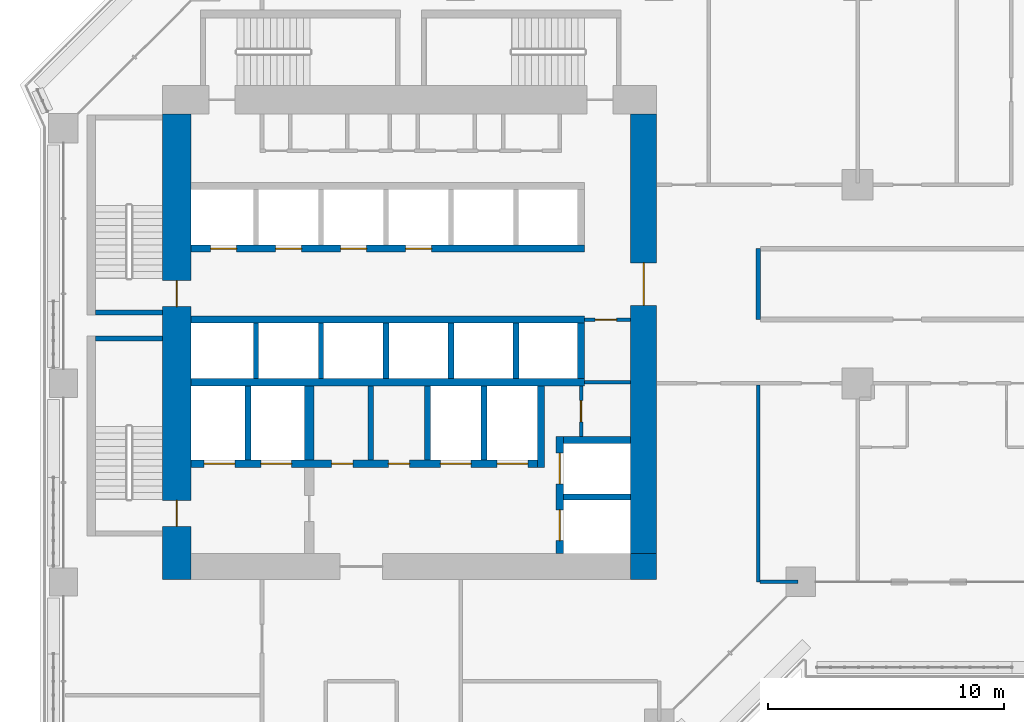
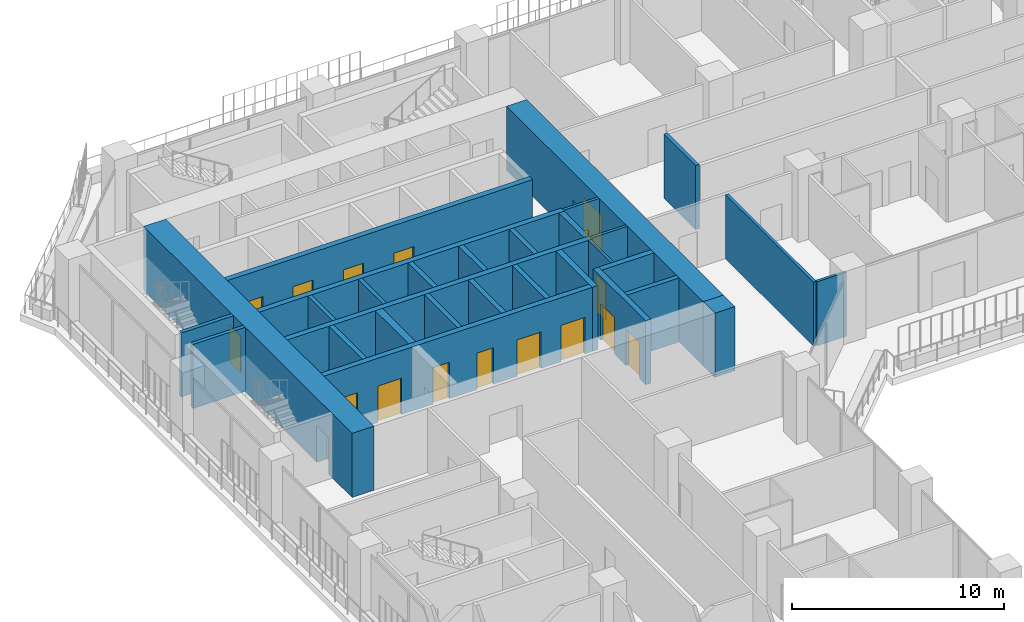
# One storey, part 15 of 28: 30 walls, 17 doors, 17 openings.
"""IFC4 building model written with IfcOpenShell, lengths in metres."""

from ifc_helpers import new_model, si_unit, direction, frame, frame_2d, origin, place, context, subcontext, project, spatial, rectangle, extrude, material, layer, layer_set, type_object, element, fill, save


model = new_model("IFC4")

# Units and contexts
model_context = context("Model", 3, precision=1e-05, world=origin(), true_north=direction((0.0, 1.0)))
body_context = subcontext(model_context, "Body", "Model", "MODEL_VIEW")
ifc_project = project(units=[si_unit("LENGTHUNIT", "METRE"), si_unit("AREAUNIT", "SQUARE_METRE"), si_unit("VOLUMEUNIT", "CUBIC_METRE"), si_unit("PLANEANGLEUNIT", "RADIAN"), si_unit("MASSUNIT", "GRAM", prefix="KILO")], contexts=[model_context])

# Site, building, storey
site_placement = place(None, origin())
site = spatial("IfcSite", under=ifc_project, at=site_placement, CompositionType="ELEMENT")
building_placement = place(site_placement, origin())
building = spatial("IfcBuilding", under=site, at=building_placement, Name="Kawkab Arch Medical Tower", CompositionType="ELEMENT")
storey_placement = place(building_placement, frame((0.0, 0.0, 89.60009765625)))
storey = spatial("IfcBuildingStorey", under=building, at=storey_placement, Name="L20", CompositionType="ELEMENT", Elevation=89.60009765625)

# Wall, opening, door
ifc_material_1 = material(Name="Concrete C60/75", Category="concrete")
ifc_layer_1 = layer(ifc_material_1, 1.10009765625)
ifc_layer_set_1 = layer_set([ifc_layer_1], Name="Concrete C60/75")
wall_type_1 = type_object("IfcWallType", Name="Core ring wall 1100 C60/75", PredefinedType="SHEAR", material=ifc_layer_set_1)
wall_1_placement = place(storey_placement, frame((24.550048828125, -24.0, 0.0), z_axis=(0.0, 0.0, 1.0), x_axis=(0.0, 1.0, 0.0)))
wall_1 = element("IfcWall", 1, at=wall_1_placement, inside=storey, type_object=wall_type_1, Name="L20 core wall", PredefinedType="SHEAR", context=body_context, shape_type="SweptSolid", body=[
    extrude(rectangle(XDim=18.60009765625, YDim=1.10009765625, at=frame_2d((9.300048828125, 0.0))), origin(), (0.0, 0.0, 1.0), 3.699951171875),
])
opening_1_placement = place(wall_1_placement, frame((10.5, 0.0, 0.0)))
opening_1 = element("IfcOpeningElement", 2, at=opening_1_placement, cuts=wall_1, Name="Opening PD", PredefinedType="OPENING", context=body_context, shape_type="SweptSolid", body=[
    extrude(rectangle(XDim=1.800048828125, YDim=2.10009765625, at=frame_2d((0.89990234375, 1.050048828125))), frame((0.0, 0.56005859375, 0.0), z_axis=(0.0, -1.0, 0.0), x_axis=(1.0, 0.0, 0.0)), (0.0, 0.0, 1.0), 1.1201171875),
])
ifc_material_2 = material(Name="Hollow metal fire door leaf")
door_type_1 = type_object("IfcDoorType", Name="Core entrance doors 1800", OperationType="DOUBLE_DOOR_SINGLE_SWING", PredefinedType="DOOR", material=ifc_material_2)
door_1_placement = place(opening_1_placement, origin())
door_1 = element("IfcDoor", 3, at=door_1_placement, inside=storey, type_object=door_type_1, Name="L20 East entrance doors", OperationType="DOUBLE_DOOR_SINGLE_SWING", OverallHeight=2.10009765625, OverallWidth=1.800048828125, PredefinedType="DOOR", context=body_context, shape_type="SweptSolid", body=[
    extrude(rectangle(XDim=1.800048828125, YDim=2.10009765625, at=frame_2d((0.89990234375, 1.050048828125))), frame((0.0, 0.02490234375, 0.0), z_axis=(0.0, -1.0, 0.0), x_axis=(1.0, 0.0, 0.0)), (0.0, 0.0, 1.0), 0.050048828125),
])
fill(opening_1, door_1)

# Wall
wall_2_placement = place(storey_placement, frame((24.550048828125, -25.10009765625, 0.0), z_axis=(0.0, 0.0, 1.0), x_axis=(0.0, 1.0, 0.0)))
element("IfcWall", 4, at=wall_2_placement, inside=storey, type_object=wall_type_1, Name="L20 core wall", PredefinedType="SHEAR", context=body_context, shape_type="SweptSolid", body=[
    extrude(rectangle(XDim=1.10009765625, YDim=1.10009765625, at=frame_2d((0.550048828125, 0.0))), origin(), (0.0, 0.0, 1.0), 3.699951171875),
])

# Wall, openings, doors
ifc_material_3 = material(Name="Concrete C60/75", Category="concrete")
ifc_layer_2 = layer(ifc_material_3, 1.199951171875)
ifc_layer_set_2 = layer_set([ifc_layer_2], Name="Concrete C60/75")
wall_type_2 = type_object("IfcWallType", Name="Core ring wall 1200 C60/75", PredefinedType="SHEAR", material=ifc_layer_set_2)
wall_3_placement = place(storey_placement, frame((4.800048828125, -25.10009765625, 0.0), z_axis=(0.0, 0.0, 1.0), x_axis=(0.0, 1.0, 0.0)))
wall_3 = element("IfcWall", 5, at=wall_3_placement, inside=storey, type_object=wall_type_2, Name="L20 core wall", PredefinedType="SHEAR", context=body_context, shape_type="SweptSolid", body=[
    extrude(rectangle(XDim=19.7001953125, YDim=1.199951171875, at=frame_2d((9.85009765625, 0.0))), origin(), (0.0, 0.0, 1.0), 3.699951171875),
])
opening_2_placement = place(wall_3_placement, frame((11.550048828125, 0.0, 0.0)))
opening_2 = element("IfcOpeningElement", 6, at=opening_2_placement, cuts=wall_3, Name="Opening SD", PredefinedType="OPENING", context=body_context, shape_type="SweptSolid", body=[
    extrude(rectangle(XDim=1.10009765625, YDim=2.10009765625, at=frame_2d((0.550048828125, 1.050048828125))), frame((0.0, 0.60986328125, 0.0), z_axis=(0.0, -1.0, 0.0), x_axis=(1.0, 0.0, 0.0)), (0.0, 0.0, 1.0), 1.219970703125),
])
opening_3_placement = place(wall_3_placement, frame((2.25, 0.0, 0.0)))
opening_3 = element("IfcOpeningElement", 7, at=opening_3_placement, cuts=wall_3, Name="Opening SD", PredefinedType="OPENING", context=body_context, shape_type="SweptSolid", body=[
    extrude(rectangle(XDim=1.10009765625, YDim=2.10009765625, at=frame_2d((0.550048828125, 1.050048828125))), frame((0.0, 0.60986328125, 0.0), z_axis=(0.0, -1.0, 0.0), x_axis=(1.0, 0.0, 0.0)), (0.0, 0.0, 1.0), 1.219970703125),
])
ifc_material_4 = material(Name="Hollow metal fire door leaf")
door_type_2 = type_object("IfcDoorType", Name="Exit stair door 1100", OperationType="SINGLE_SWING_LEFT", PredefinedType="DOOR", material=ifc_material_4)
door_2_placement = place(opening_2_placement, origin())
door_2 = element("IfcDoor", 8, at=door_2_placement, inside=storey, type_object=door_type_2, Name="L20 Exit stair ST1 door", OperationType="SINGLE_SWING_LEFT", OverallHeight=2.10009765625, OverallWidth=1.10009765625, PredefinedType="DOOR", context=body_context, shape_type="SweptSolid", body=[
    extrude(rectangle(XDim=1.10009765625, YDim=2.10009765625, at=frame_2d((0.550048828125, 1.050048828125))), frame((0.0, 0.02490234375, 0.0), z_axis=(0.0, -1.0, 0.0), x_axis=(1.0, 0.0, 0.0)), (0.0, 0.0, 1.0), 0.050048828125),
])
fill(opening_2, door_2)
door_3_placement = place(opening_3_placement, origin())
door_3 = element("IfcDoor", 9, at=door_3_placement, inside=storey, type_object=door_type_2, Name="L20 Exit stair ST2 door", OperationType="SINGLE_SWING_LEFT", OverallHeight=2.10009765625, OverallWidth=1.10009765625, PredefinedType="DOOR", context=body_context, shape_type="SweptSolid", body=[
    extrude(rectangle(XDim=1.10009765625, YDim=2.10009765625, at=frame_2d((0.550048828125, 1.050048828125))), frame((0.0, 0.02490234375, 0.0), z_axis=(0.0, -1.0, 0.0), x_axis=(1.0, 0.0, 0.0)), (0.0, 0.0, 1.0), 0.050048828125),
])
fill(opening_3, door_3)

# Wall, opening, door
ifc_material_5 = material(Name="Gypsum board on steel studs", Category="steel")
ifc_layer_3 = layer(ifc_material_5, 0.14990234375)
ifc_layer_set_3 = layer_set([ifc_layer_3], Name="Gypsum board on steel studs")
wall_type_3 = type_object("IfcWallType", Name="Core room partition 150", PredefinedType="PARTITIONING", material=ifc_layer_set_3)
wall_4_placement = place(storey_placement, frame((21.89990234375, -19.050048828125, 0.0), z_axis=(0.0, 0.0, 1.0), x_axis=(0.0, 1.0, 0.0)))
wall_4 = element("IfcWall", 10, at=wall_4_placement, inside=storey, type_object=wall_type_3, Name="L20 core room partition", PredefinedType="PARTITIONING", context=body_context, shape_type="SweptSolid", body=[
    extrude(rectangle(XDim=2.150146484375, YDim=0.14990234375, at=frame_2d((1.0751953125, 0.0))), origin(), (0.0, 0.0, 1.0), 3.699951171875),
])
opening_4_placement = place(wall_4_placement, frame((0.625, 0.0, 0.0)))
opening_4 = element("IfcOpeningElement", 11, at=opening_4_placement, cuts=wall_4, Name="Opening RD", PredefinedType="OPENING", context=body_context, shape_type="SweptSolid", body=[
    extrude(rectangle(XDim=0.89990234375, YDim=2.10009765625, at=frame_2d((0.449951171875, 1.050048828125))), frame((0.0, 0.0849609375, 0.0), z_axis=(0.0, -1.0, 0.0), x_axis=(1.0, 0.0, 0.0)), (0.0, 0.0, 1.0), 0.169921875),
])
ifc_material_6 = material(Name="Hollow metal fire door leaf")
door_type_3 = type_object("IfcDoorType", Name="Core room door 900", OperationType="SINGLE_SWING_LEFT", PredefinedType="DOOR", material=ifc_material_6)
door_4_placement = place(opening_4_placement, origin())
door_4 = element("IfcDoor", 12, at=door_4_placement, inside=storey, type_object=door_type_3, Name="L20 Staff WC door", OperationType="SINGLE_SWING_LEFT", OverallHeight=2.10009765625, OverallWidth=0.89990234375, PredefinedType="DOOR", context=body_context, shape_type="SweptSolid", body=[
    extrude(rectangle(XDim=0.89990234375, YDim=2.10009765625, at=frame_2d((0.449951171875, 1.050048828125))), frame((0.0, 0.02490234375, 0.0), z_axis=(0.0, -1.0, 0.0), x_axis=(1.0, 0.0, 0.0)), (0.0, 0.0, 1.0), 0.050048828125),
])
fill(opening_4, door_4)

# Wall
wall_5_placement = place(storey_placement, frame((22.050048828125, -16.75, 0.0), z_axis=(0.0, 0.0, 1.0), x_axis=(1.0, 0.0, 0.0)))
element("IfcWall", 13, at=wall_5_placement, inside=storey, type_object=wall_type_3, Name="L20 core room partition", PredefinedType="PARTITIONING", context=body_context, shape_type="SweptSolid", body=[
    extrude(rectangle(XDim=1.949951171875, YDim=0.14990234375, at=frame_2d((0.97509765625, 0.0))), origin(), (0.0, 0.0, 1.0), 3.699951171875),
])

# Wall, opening, door
wall_6_placement = place(storey_placement, frame((22.050048828125, -14.10009765625, 0.0), z_axis=(0.0, 0.0, 1.0), x_axis=(1.0, 0.0, 0.0)))
wall_6 = element("IfcWall", 14, at=wall_6_placement, inside=storey, type_object=wall_type_3, Name="L20 core room partition", PredefinedType="PARTITIONING", context=body_context, shape_type="SweptSolid", body=[
    extrude(rectangle(XDim=1.949951171875, YDim=0.14990234375, at=frame_2d((0.97509765625, 0.0))), origin(), (0.0, 0.0, 1.0), 3.699951171875),
])
opening_5_placement = place(wall_6_placement, frame((0.449951171875, 0.0, 0.0)))
opening_5 = element("IfcOpeningElement", 15, at=opening_5_placement, cuts=wall_6, Name="Opening RD", PredefinedType="OPENING", context=body_context, shape_type="SweptSolid", body=[
    extrude(rectangle(XDim=0.89990234375, YDim=2.10009765625, at=frame_2d((0.449951171875, 1.050048828125))), frame((0.0, 0.0849609375, 0.0), z_axis=(0.0, -1.0, 0.0), x_axis=(1.0, 0.0, 0.0)), (0.0, 0.0, 1.0), 0.169921875),
])
door_5_placement = place(opening_5_placement, origin())
door_5 = element("IfcDoor", 16, at=door_5_placement, inside=storey, type_object=door_type_3, Name="L20 Linen store door", OperationType="SINGLE_SWING_LEFT", OverallHeight=2.10009765625, OverallWidth=0.89990234375, PredefinedType="DOOR", context=body_context, shape_type="SweptSolid", body=[
    extrude(rectangle(XDim=0.89990234375, YDim=2.10009765625, at=frame_2d((0.449951171875, 1.050048828125))), frame((0.0, 0.02490234375, 0.0), z_axis=(0.0, -1.0, 0.0), x_axis=(1.0, 0.0, 0.0)), (0.0, 0.0, 1.0), 0.050048828125),
])
fill(opening_5, door_5)

# Walls
ifc_material_7 = material(Name="Concrete C60/75", Category="concrete")
ifc_layer_4 = layer(ifc_material_7, 0.25)
ifc_layer_set_4 = layer_set([ifc_layer_4], Name="Concrete C60/75")
wall_type_4 = type_object("IfcWallType", Name="Core shear wall 250 C60/75", PredefinedType="SHEAR", material=ifc_layer_set_4)
wall_7_placement = place(storey_placement, frame((21.14990234375, -21.60009765625, 0.0), z_axis=(0.0, 0.0, 1.0), x_axis=(1.0, 0.0, 0.0)))
element("IfcWall", 17, at=wall_7_placement, inside=storey, type_object=wall_type_4, Name="L20 core shear wall", PredefinedType="SHEAR", context=body_context, shape_type="SweptSolid", body=[
    extrude(rectangle(XDim=2.85009765625, YDim=0.25, at=frame_2d((1.425048828125, 0.0))), origin(), (0.0, 0.0, 1.0), 3.699951171875),
])
for number, where, z_axis, x_axis, name in (
    (18, (7.800048828125, -20.050048828125, 0.0), (0.0, 0.0, 1.0), (0.0, 1.0, 0.0), "L20 core shear wall"),
    (19, (13.0, -20.050048828125, 0.0), (0.0, 0.0, 1.0), (0.0, 1.0, 0.0), "L20 core shear wall"),
    (20, (15.39990234375, -20.050048828125, 0.0), (0.0, 0.0, 1.0), (0.0, 1.0, 0.0), "L20 core shear wall"),
    (21, (17.800048828125, -20.050048828125, 0.0), (0.0, 0.0, 1.0), (0.0, 1.0, 0.0), "L20 core shear wall"),
):
    element("IfcWall", number, at=place(storey_placement, frame(where, z_axis=z_axis, x_axis=x_axis)), inside=storey, type_object=wall_type_4, Name=name, PredefinedType="SHEAR", context=body_context, shape_type="SweptSolid", body=[
        extrude(rectangle(XDim=3.150146484375, YDim=0.25, at=frame_2d((1.5751953125, 0.0))), origin(), (0.0, 0.0, 1.0), 3.699951171875),
    ])
for number, where, z_axis, x_axis, name in (
    (22, (13.64990234375, -16.60009765625, 0.0), (0.0, 0.0, 1.0), (0.0, 1.0, 0.0), "L20 core shear wall"),
    (23, (16.39990234375, -16.60009765625, 0.0), (0.0, 0.0, 1.0), (0.0, 1.0, 0.0), "L20 core shear wall"),
    (24, (19.14990234375, -16.60009765625, 0.0), (0.0, 0.0, 1.0), (0.0, 1.0, 0.0), "L20 core shear wall"),
):
    element("IfcWall", number, at=place(storey_placement, frame(where, z_axis=z_axis, x_axis=x_axis)), inside=storey, type_object=wall_type_4, Name=name, PredefinedType="SHEAR", context=body_context, shape_type="SweptSolid", body=[
        extrude(rectangle(XDim=2.35009765625, YDim=0.25, at=frame_2d((1.175048828125, 0.0))), origin(), (0.0, 0.0, 1.0), 3.699951171875),
    ])

# Wall, openings, doors
ifc_material_8 = material(Name="Concrete C60/75", Category="concrete")
ifc_layer_5 = layer(ifc_material_8, 0.300048828125)
ifc_layer_set_5 = layer_set([ifc_layer_5], Name="Concrete C60/75")
wall_type_5 = type_object("IfcWallType", Name="Core shear wall 300 C60/75", PredefinedType="SHEAR", material=ifc_layer_set_5)
wall_8_placement = place(storey_placement, frame((5.39990234375, -11.10009765625, 0.0), z_axis=(0.0, 0.0, 1.0), x_axis=(1.0, 0.0, 0.0)))
wall_8 = element("IfcWall", 25, at=wall_8_placement, inside=storey, type_object=wall_type_5, Name="L20 core shear wall", PredefinedType="SHEAR", context=body_context, shape_type="SweptSolid", body=[
    extrude(rectangle(XDim=16.650146484375, YDim=0.300048828125, at=frame_2d((8.3251953125, 0.0))), origin(), (0.0, 0.0, 1.0), 3.699951171875),
])
opening_6_placement = place(wall_8_placement, frame((0.824951171875, 0.0, 0.0)))
opening_6 = element("IfcOpeningElement", 26, at=opening_6_placement, cuts=wall_8, Name="Opening LD1", PredefinedType="OPENING", context=body_context, shape_type="SweptSolid", body=[
    extrude(rectangle(XDim=1.10009765625, YDim=2.10009765625, at=frame_2d((0.550048828125, 1.050048828125))), frame((0.0, 0.159912109375, 0.0), z_axis=(0.0, -1.0, 0.0), x_axis=(1.0, 0.0, 0.0)), (0.0, 0.0, 1.0), 0.320068359375),
])
opening_7_placement = place(wall_8_placement, frame((3.574951171875, 0.0, 0.0)))
opening_7 = element("IfcOpeningElement", 27, at=opening_7_placement, cuts=wall_8, Name="Opening LD1", PredefinedType="OPENING", context=body_context, shape_type="SweptSolid", body=[
    extrude(rectangle(XDim=1.10009765625, YDim=2.10009765625, at=frame_2d((0.550048828125, 1.050048828125))), frame((0.0, 0.159912109375, 0.0), z_axis=(0.0, -1.0, 0.0), x_axis=(1.0, 0.0, 0.0)), (0.0, 0.0, 1.0), 0.320068359375),
])
opening_8_placement = place(wall_8_placement, frame((6.324951171875, 0.0, 0.0)))
opening_8 = element("IfcOpeningElement", 28, at=opening_8_placement, cuts=wall_8, Name="Opening LD1", PredefinedType="OPENING", context=body_context, shape_type="SweptSolid", body=[
    extrude(rectangle(XDim=1.10009765625, YDim=2.10009765625, at=frame_2d((0.550048828125, 1.050048828125))), frame((0.0, 0.159912109375, 0.0), z_axis=(0.0, -1.0, 0.0), x_axis=(1.0, 0.0, 0.0)), (0.0, 0.0, 1.0), 0.320068359375),
])
opening_9_placement = place(wall_8_placement, frame((9.074951171875, 0.0, 0.0)))
opening_9 = element("IfcOpeningElement", 29, at=opening_9_placement, cuts=wall_8, Name="Opening LD1", PredefinedType="OPENING", context=body_context, shape_type="SweptSolid", body=[
    extrude(rectangle(XDim=1.10009765625, YDim=2.10009765625, at=frame_2d((0.550048828125, 1.050048828125))), frame((0.0, 0.159912109375, 0.0), z_axis=(0.0, -1.0, 0.0), x_axis=(1.0, 0.0, 0.0)), (0.0, 0.0, 1.0), 0.320068359375),
])
ifc_material_9 = material(Name="Stainless steel lift door leaf", Category="steel")
door_type_4 = type_object("IfcDoorType", Name="Lift landing door 1100", OperationType="DOUBLE_DOOR_SLIDING", PredefinedType="DOOR", material=ifc_material_9)
door_6_placement = place(opening_6_placement, origin())
door_6 = element("IfcDoor", 30, at=door_6_placement, inside=storey, type_object=door_type_4, Name="L20 Lift landing door LP1", OperationType="DOUBLE_DOOR_SLIDING", OverallHeight=2.10009765625, OverallWidth=1.10009765625, PredefinedType="DOOR", context=body_context, shape_type="SweptSolid", body=[
    extrude(rectangle(XDim=1.10009765625, YDim=2.10009765625, at=frame_2d((0.550048828125, 1.050048828125))), frame((0.0, 0.02490234375, 0.0), z_axis=(0.0, -1.0, 0.0), x_axis=(1.0, 0.0, 0.0)), (0.0, 0.0, 1.0), 0.050048828125),
])
fill(opening_6, door_6)
door_7_placement = place(opening_7_placement, origin())
door_7 = element("IfcDoor", 31, at=door_7_placement, inside=storey, type_object=door_type_4, Name="L20 Lift landing door LP2", OperationType="DOUBLE_DOOR_SLIDING", OverallHeight=2.10009765625, OverallWidth=1.10009765625, PredefinedType="DOOR", context=body_context, shape_type="SweptSolid", body=[
    extrude(rectangle(XDim=1.10009765625, YDim=2.10009765625, at=frame_2d((0.550048828125, 1.050048828125))), frame((0.0, 0.02490234375, 0.0), z_axis=(0.0, -1.0, 0.0), x_axis=(1.0, 0.0, 0.0)), (0.0, 0.0, 1.0), 0.050048828125),
])
fill(opening_7, door_7)
door_8_placement = place(opening_8_placement, origin())
door_8 = element("IfcDoor", 32, at=door_8_placement, inside=storey, type_object=door_type_4, Name="L20 Lift landing door LP3", OperationType="DOUBLE_DOOR_SLIDING", OverallHeight=2.10009765625, OverallWidth=1.10009765625, PredefinedType="DOOR", context=body_context, shape_type="SweptSolid", body=[
    extrude(rectangle(XDim=1.10009765625, YDim=2.10009765625, at=frame_2d((0.550048828125, 1.050048828125))), frame((0.0, 0.02490234375, 0.0), z_axis=(0.0, -1.0, 0.0), x_axis=(1.0, 0.0, 0.0)), (0.0, 0.0, 1.0), 0.050048828125),
])
fill(opening_8, door_8)
door_9_placement = place(opening_9_placement, origin())
door_9 = element("IfcDoor", 33, at=door_9_placement, inside=storey, type_object=door_type_4, Name="L20 Lift landing door LP4", OperationType="DOUBLE_DOOR_SLIDING", OverallHeight=2.10009765625, OverallWidth=1.10009765625, PredefinedType="DOOR", context=body_context, shape_type="SweptSolid", body=[
    extrude(rectangle(XDim=1.10009765625, YDim=2.10009765625, at=frame_2d((0.550048828125, 1.050048828125))), frame((0.0, 0.02490234375, 0.0), z_axis=(0.0, -1.0, 0.0), x_axis=(1.0, 0.0, 0.0)), (0.0, 0.0, 1.0), 0.050048828125),
])
fill(opening_9, door_9)

# Walls
for number, where, z_axis, x_axis, name in (
    (34, (5.39990234375, -14.10009765625, 0.0), (0.0, 0.0, 1.0), (1.0, 0.0, 0.0), "L20 core shear wall"),
    (35, (5.39990234375, -16.75, 0.0), (0.0, 0.0, 1.0), (1.0, 0.0, 0.0), "L20 core shear wall"),
):
    element("IfcWall", number, at=place(storey_placement, frame(where, z_axis=z_axis, x_axis=x_axis)), inside=storey, type_object=wall_type_5, Name=name, PredefinedType="SHEAR", context=body_context, shape_type="SweptSolid", body=[
        extrude(rectangle(XDim=16.650146484375, YDim=0.300048828125, at=frame_2d((8.3251953125, 0.0))), origin(), (0.0, 0.0, 1.0), 3.699951171875),
    ])

# Wall, openings, doors
wall_9_placement = place(storey_placement, frame((5.39990234375, -20.199951171875, 0.0), z_axis=(0.0, 0.0, 1.0), x_axis=(1.0, 0.0, 0.0)))
wall_9 = element("IfcWall", 36, at=wall_9_placement, inside=storey, type_object=wall_type_5, Name="L20 core shear wall", PredefinedType="SHEAR", context=body_context, shape_type="SweptSolid", body=[
    extrude(rectangle(XDim=14.650146484375, YDim=0.300048828125, at=frame_2d((7.3251953125, 0.0))), origin(), (0.0, 0.0, 1.0), 3.699951171875),
])
opening_10_placement = place(wall_9_placement, frame((10.550048828125, 0.0, 0.0)))
opening_10 = element("IfcOpeningElement", 37, at=opening_10_placement, cuts=wall_9, Name="Opening LD2", PredefinedType="OPENING", context=body_context, shape_type="SweptSolid", body=[
    extrude(rectangle(XDim=1.300048828125, YDim=2.10009765625, at=frame_2d((0.64990234375, 1.050048828125))), frame((0.0, 0.159912109375, 0.0), z_axis=(0.0, -1.0, 0.0), x_axis=(1.0, 0.0, 0.0)), (0.0, 0.0, 1.0), 0.320068359375),
])
opening_11_placement = place(wall_9_placement, frame((12.949951171875, 0.0, 0.0)))
opening_11 = element("IfcOpeningElement", 38, at=opening_11_placement, cuts=wall_9, Name="Opening LD2", PredefinedType="OPENING", context=body_context, shape_type="SweptSolid", body=[
    extrude(rectangle(XDim=1.300048828125, YDim=2.10009765625, at=frame_2d((0.64990234375, 1.050048828125))), frame((0.0, 0.159912109375, 0.0), z_axis=(0.0, -1.0, 0.0), x_axis=(1.0, 0.0, 0.0)), (0.0, 0.0, 1.0), 0.320068359375),
])
opening_12_placement = place(wall_9_placement, frame((0.550048828125, 0.0, 0.0)))
opening_12 = element("IfcOpeningElement", 39, at=opening_12_placement, cuts=wall_9, Name="Opening LD2", PredefinedType="OPENING", context=body_context, shape_type="SweptSolid", body=[
    extrude(rectangle(XDim=1.300048828125, YDim=2.10009765625, at=frame_2d((0.64990234375, 1.050048828125))), frame((0.0, 0.159912109375, 0.0), z_axis=(0.0, -1.0, 0.0), x_axis=(1.0, 0.0, 0.0)), (0.0, 0.0, 1.0), 0.320068359375),
])
opening_13_placement = place(wall_9_placement, frame((2.949951171875, 0.0, 0.0)))
opening_13 = element("IfcOpeningElement", 40, at=opening_13_placement, cuts=wall_9, Name="Opening LD2", PredefinedType="OPENING", context=body_context, shape_type="SweptSolid", body=[
    extrude(rectangle(XDim=1.300048828125, YDim=2.10009765625, at=frame_2d((0.64990234375, 1.050048828125))), frame((0.0, 0.159912109375, 0.0), z_axis=(0.0, -1.0, 0.0), x_axis=(1.0, 0.0, 0.0)), (0.0, 0.0, 1.0), 0.320068359375),
])
opening_14_placement = place(wall_9_placement, frame((5.949951171875, 0.0, 0.0)))
opening_14 = element("IfcOpeningElement", 41, at=opening_14_placement, cuts=wall_9, Name="Opening RD", PredefinedType="OPENING", context=body_context, shape_type="SweptSolid", body=[
    extrude(rectangle(XDim=0.89990234375, YDim=2.10009765625, at=frame_2d((0.449951171875, 1.050048828125))), frame((0.0, 0.159912109375, 0.0), z_axis=(0.0, -1.0, 0.0), x_axis=(1.0, 0.0, 0.0)), (0.0, 0.0, 1.0), 0.320068359375),
])
opening_15_placement = place(wall_9_placement, frame((8.35009765625, 0.0, 0.0)))
opening_15 = element("IfcOpeningElement", 42, at=opening_15_placement, cuts=wall_9, Name="Opening RD", PredefinedType="OPENING", context=body_context, shape_type="SweptSolid", body=[
    extrude(rectangle(XDim=0.89990234375, YDim=2.10009765625, at=frame_2d((0.449951171875, 1.050048828125))), frame((0.0, 0.159912109375, 0.0), z_axis=(0.0, -1.0, 0.0), x_axis=(1.0, 0.0, 0.0)), (0.0, 0.0, 1.0), 0.320068359375),
])
door_10_placement = place(opening_14_placement, origin())
door_10 = element("IfcDoor", 43, at=door_10_placement, inside=storey, type_object=door_type_3, Name="L20 Clean utility room door", OperationType="SINGLE_SWING_LEFT", OverallHeight=2.10009765625, OverallWidth=0.89990234375, PredefinedType="DOOR", context=body_context, shape_type="SweptSolid", body=[
    extrude(rectangle(XDim=0.89990234375, YDim=2.10009765625, at=frame_2d((0.449951171875, 1.050048828125))), frame((0.0, 0.02490234375, 0.0), z_axis=(0.0, -1.0, 0.0), x_axis=(1.0, 0.0, 0.0)), (0.0, 0.0, 1.0), 0.050048828125),
])
fill(opening_14, door_10)
door_11_placement = place(opening_15_placement, origin())
door_11 = element("IfcDoor", 44, at=door_11_placement, inside=storey, type_object=door_type_3, Name="L20 Dirty utility room door", OperationType="SINGLE_SWING_LEFT", OverallHeight=2.10009765625, OverallWidth=0.89990234375, PredefinedType="DOOR", context=body_context, shape_type="SweptSolid", body=[
    extrude(rectangle(XDim=0.89990234375, YDim=2.10009765625, at=frame_2d((0.449951171875, 1.050048828125))), frame((0.0, 0.02490234375, 0.0), z_axis=(0.0, -1.0, 0.0), x_axis=(1.0, 0.0, 0.0)), (0.0, 0.0, 1.0), 0.050048828125),
])
fill(opening_15, door_11)
ifc_material_10 = material(Name="Stainless steel lift door leaf", Category="steel")
door_type_5 = type_object("IfcDoorType", Name="Lift landing door 1300", OperationType="DOUBLE_DOOR_SLIDING", PredefinedType="DOOR", material=ifc_material_10)
door_12_placement = place(opening_10_placement, origin())
door_12 = element("IfcDoor", 45, at=door_12_placement, inside=storey, type_object=door_type_5, Name="L20 Lift landing door BD3", OperationType="DOUBLE_DOOR_SLIDING", OverallHeight=2.10009765625, OverallWidth=1.300048828125, PredefinedType="DOOR", context=body_context, shape_type="SweptSolid", body=[
    extrude(rectangle(XDim=1.300048828125, YDim=2.10009765625, at=frame_2d((0.64990234375, 1.050048828125))), frame((0.0, 0.02490234375, 0.0), z_axis=(0.0, -1.0, 0.0), x_axis=(1.0, 0.0, 0.0)), (0.0, 0.0, 1.0), 0.050048828125),
])
fill(opening_10, door_12)
door_13_placement = place(opening_11_placement, origin())
door_13 = element("IfcDoor", 46, at=door_13_placement, inside=storey, type_object=door_type_5, Name="L20 Lift landing door BD4", OperationType="DOUBLE_DOOR_SLIDING", OverallHeight=2.10009765625, OverallWidth=1.300048828125, PredefinedType="DOOR", context=body_context, shape_type="SweptSolid", body=[
    extrude(rectangle(XDim=1.300048828125, YDim=2.10009765625, at=frame_2d((0.64990234375, 1.050048828125))), frame((0.0, 0.02490234375, 0.0), z_axis=(0.0, -1.0, 0.0), x_axis=(1.0, 0.0, 0.0)), (0.0, 0.0, 1.0), 0.050048828125),
])
fill(opening_11, door_13)
door_14_placement = place(opening_12_placement, origin())
door_14 = element("IfcDoor", 47, at=door_14_placement, inside=storey, type_object=door_type_5, Name="L20 Lift landing door FL1", OperationType="DOUBLE_DOOR_SLIDING", OverallHeight=2.10009765625, OverallWidth=1.300048828125, PredefinedType="DOOR", context=body_context, shape_type="SweptSolid", body=[
    extrude(rectangle(XDim=1.300048828125, YDim=2.10009765625, at=frame_2d((0.64990234375, 1.050048828125))), frame((0.0, 0.02490234375, 0.0), z_axis=(0.0, -1.0, 0.0), x_axis=(1.0, 0.0, 0.0)), (0.0, 0.0, 1.0), 0.050048828125),
])
fill(opening_12, door_14)
door_15_placement = place(opening_13_placement, origin())
door_15 = element("IfcDoor", 48, at=door_15_placement, inside=storey, type_object=door_type_5, Name="L20 Lift landing door FL2", OperationType="DOUBLE_DOOR_SLIDING", OverallHeight=2.10009765625, OverallWidth=1.300048828125, PredefinedType="DOOR", context=body_context, shape_type="SweptSolid", body=[
    extrude(rectangle(XDim=1.300048828125, YDim=2.10009765625, at=frame_2d((0.64990234375, 1.050048828125))), frame((0.0, 0.02490234375, 0.0), z_axis=(0.0, -1.0, 0.0), x_axis=(1.0, 0.0, 0.0)), (0.0, 0.0, 1.0), 0.050048828125),
])
fill(opening_13, door_15)

# Walls
wall_10_placement = place(storey_placement, frame((20.199951171875, -20.35009765625, 0.0), z_axis=(0.0, 0.0, 1.0), x_axis=(0.0, 1.0, 0.0)))
element("IfcWall", 49, at=wall_10_placement, inside=storey, type_object=wall_type_5, Name="L20 core shear wall", PredefinedType="SHEAR", context=body_context, shape_type="SweptSolid", body=[
    extrude(rectangle(XDim=3.4501953125, YDim=0.300048828125, at=frame_2d((1.72509765625, 0.0))), origin(), (0.0, 0.0, 1.0), 3.699951171875),
])
wall_11_placement = place(storey_placement, frame((21.89990234375, -16.60009765625, 0.0), z_axis=(0.0, 0.0, 1.0), x_axis=(0.0, 1.0, 0.0)))
element("IfcWall", 50, at=wall_11_placement, inside=storey, type_object=wall_type_5, Name="L20 core shear wall", PredefinedType="SHEAR", context=body_context, shape_type="SweptSolid", body=[
    extrude(rectangle(XDim=2.35009765625, YDim=0.300048828125, at=frame_2d((1.175048828125, 0.0))), origin(), (0.0, 0.0, 1.0), 3.699951171875),
])
wall_12_placement = place(storey_placement, frame((21.14990234375, -19.199951171875, 0.0), z_axis=(0.0, 0.0, 1.0), x_axis=(1.0, 0.0, 0.0)))
element("IfcWall", 51, at=wall_12_placement, inside=storey, type_object=wall_type_5, Name="L20 core shear wall", PredefinedType="SHEAR", context=body_context, shape_type="SweptSolid", body=[
    extrude(rectangle(XDim=2.85009765625, YDim=0.300048828125, at=frame_2d((1.425048828125, 0.0))), origin(), (0.0, 0.0, 1.0), 3.699951171875),
])

# Wall, openings, doors
wall_13_placement = place(storey_placement, frame((21.0, -24.0, 0.0), z_axis=(0.0, 0.0, 1.0), x_axis=(0.0, 1.0, 0.0)))
wall_13 = element("IfcWall", 52, at=wall_13_placement, inside=storey, type_object=wall_type_5, Name="L20 core shear wall", PredefinedType="SHEAR", context=body_context, shape_type="SweptSolid", body=[
    extrude(rectangle(XDim=4.949951171875, YDim=0.300048828125, at=frame_2d((2.47509765625, 0.0))), origin(), (0.0, 0.0, 1.0), 3.699951171875),
])
opening_16_placement = place(wall_13_placement, frame((2.949951171875, 0.0, 0.0)))
opening_16 = element("IfcOpeningElement", 53, at=opening_16_placement, cuts=wall_13, Name="Opening LD2", PredefinedType="OPENING", context=body_context, shape_type="SweptSolid", body=[
    extrude(rectangle(XDim=1.300048828125, YDim=2.10009765625, at=frame_2d((0.64990234375, 1.050048828125))), frame((0.0, 0.159912109375, 0.0), z_axis=(0.0, -1.0, 0.0), x_axis=(1.0, 0.0, 0.0)), (0.0, 0.0, 1.0), 0.320068359375),
])
opening_17_placement = place(wall_13_placement, frame((0.550048828125, 0.0, 0.0)))
opening_17 = element("IfcOpeningElement", 54, at=opening_17_placement, cuts=wall_13, Name="Opening LD2", PredefinedType="OPENING", context=body_context, shape_type="SweptSolid", body=[
    extrude(rectangle(XDim=1.300048828125, YDim=2.10009765625, at=frame_2d((0.64990234375, 1.050048828125))), frame((0.0, 0.159912109375, 0.0), z_axis=(0.0, -1.0, 0.0), x_axis=(1.0, 0.0, 0.0)), (0.0, 0.0, 1.0), 0.320068359375),
])
door_16_placement = place(opening_16_placement, origin())
door_16 = element("IfcDoor", 55, at=door_16_placement, inside=storey, type_object=door_type_5, Name="L20 Lift landing door BD1", OperationType="DOUBLE_DOOR_SLIDING", OverallHeight=2.10009765625, OverallWidth=1.300048828125, PredefinedType="DOOR", context=body_context, shape_type="SweptSolid", body=[
    extrude(rectangle(XDim=1.300048828125, YDim=2.10009765625, at=frame_2d((0.64990234375, 1.050048828125))), frame((0.0, 0.02490234375, 0.0), z_axis=(0.0, -1.0, 0.0), x_axis=(1.0, 0.0, 0.0)), (0.0, 0.0, 1.0), 0.050048828125),
])
fill(opening_16, door_16)
door_17_placement = place(opening_17_placement, origin())
door_17 = element("IfcDoor", 56, at=door_17_placement, inside=storey, type_object=door_type_5, Name="L20 Lift landing door BD2", OperationType="DOUBLE_DOOR_SLIDING", OverallHeight=2.10009765625, OverallWidth=1.300048828125, PredefinedType="DOOR", context=body_context, shape_type="SweptSolid", body=[
    extrude(rectangle(XDim=1.300048828125, YDim=2.10009765625, at=frame_2d((0.64990234375, 1.050048828125))), frame((0.0, 0.02490234375, 0.0), z_axis=(0.0, -1.0, 0.0), x_axis=(1.0, 0.0, 0.0)), (0.0, 0.0, 1.0), 0.050048828125),
])
fill(opening_17, door_17)

# Walls
ifc_material_11 = material(Name="Concrete C60/75", Category="concrete")
ifc_layer_6 = layer(ifc_material_11, 0.39990234375)
ifc_layer_set_6 = layer_set([ifc_layer_6], Name="Concrete C60/75")
wall_type_6 = type_object("IfcWallType", Name="Core shear wall 400 C60/75", PredefinedType="SHEAR", material=ifc_layer_set_6)
wall_14_placement = place(storey_placement, frame((10.39990234375, -20.050048828125, 0.0), z_axis=(0.0, 0.0, 1.0), x_axis=(0.0, 1.0, 0.0)))
element("IfcWall", 57, at=wall_14_placement, inside=storey, type_object=wall_type_6, Name="L20 core shear wall", PredefinedType="SHEAR", context=body_context, shape_type="SweptSolid", body=[
    extrude(rectangle(XDim=3.150146484375, YDim=0.39990234375, at=frame_2d((1.5751953125, 0.0))), origin(), (0.0, 0.0, 1.0), 3.699951171875),
])
ifc_material_12 = material(Name="Dense concrete blockwork", Category="masonry")
ifc_layer_7 = layer(ifc_material_12, 0.199951171875)
ifc_layer_set_7 = layer_set([ifc_layer_7], Name="Dense concrete blockwork")
wall_type_7 = type_object("IfcWallType", Name="Lift shaft partition 200", PredefinedType="PARTITIONING", material=ifc_layer_set_7)
for number, where, z_axis, x_axis, name in (
    (58, (8.14990234375, -16.60009765625, 0.0), (0.0, 0.0, 1.0), (0.0, 1.0, 0.0), "L20 lift shaft partition"),
    (59, (10.89990234375, -16.60009765625, 0.0), (0.0, 0.0, 1.0), (0.0, 1.0, 0.0), "L20 lift shaft partition"),
):
    element("IfcWall", number, at=place(storey_placement, frame(where, z_axis=z_axis, x_axis=x_axis)), inside=storey, type_object=wall_type_7, Name=name, PredefinedType="PARTITIONING", context=body_context, shape_type="SweptSolid", body=[
        extrude(rectangle(XDim=2.35009765625, YDim=0.199951171875, at=frame_2d((1.175048828125, 0.0))), origin(), (0.0, 0.0, 1.0), 3.699951171875),
    ])
ifc_material_13 = material(Name="Gypsum board partition on steel studs, mineral wool", Category="steel")
ifc_layer_8 = layer(ifc_material_13, 0.14990234375)
ifc_layer_set_8 = layer_set([ifc_layer_8], Name="Gypsum board partition on steel studs, mineral wool")
wall_type_8 = type_object("IfcWallType", Name="Partition 150", PredefinedType="PARTITIONING", material=ifc_layer_set_8)
wall_15_placement = place(storey_placement, frame((29.47509765625, -25.199951171875, 0.0), z_axis=(0.0, 0.0, 1.0), x_axis=(1.0, 0.0, 0.0)))
element("IfcWall", 60, at=wall_15_placement, inside=storey, type_object=wall_type_8, Name="Partition 150 w064", PredefinedType="PARTITIONING", context=body_context, shape_type="SweptSolid", body=[
    extrude(rectangle(XDim=1.61181640625, YDim=0.14990234375, at=frame_2d((0.805908203125, 0.0))), origin(), (0.0, 0.0, 1.0), 3.699951171875),
])
wall_16_placement = place(storey_placement, frame((29.39990234375, -25.199951171875, 0.0), z_axis=(0.0, 0.0, 1.0), x_axis=(0.0, 1.0, 0.0)))
element("IfcWall", 61, at=wall_16_placement, inside=storey, type_object=wall_type_8, Name="Partition 150 w095", PredefinedType="PARTITIONING", context=body_context, shape_type="SweptSolid", body=[
    extrude(rectangle(XDim=8.324951171875, YDim=0.14990234375, at=frame_2d((4.16259765625, 0.0))), origin(), (0.0, 0.0, 1.0), 3.699951171875),
])
ifc_material_14 = material(Name="Fire-rated gypsum board partition on steel studs", Category="steel")
ifc_layer_9 = layer(ifc_material_14, 0.199951171875)
ifc_layer_set_9 = layer_set([ifc_layer_9], Name="Fire-rated gypsum board partition on steel studs")
wall_type_9 = type_object("IfcWallType", Name="Protected partition 200", PredefinedType="PARTITIONING", material=ifc_layer_set_9)
wall_17_placement = place(storey_placement, frame((29.39990234375, -14.10009765625, 0.0), z_axis=(0.0, 0.0, 1.0), x_axis=(0.0, 1.0, 0.0)))
element("IfcWall", 62, at=wall_17_placement, inside=storey, type_object=wall_type_9, Name="Protected partition 200 w125", PredefinedType="PARTITIONING", context=body_context, shape_type="SweptSolid", body=[
    extrude(rectangle(XDim=3.0, YDim=0.199951171875, at=frame_2d((1.5, 0.0))), origin(), (0.0, 0.0, 1.0), 3.699951171875),
])
ifc_material_15 = material(Name="Concrete C50/60", Category="concrete")
ifc_layer_10 = layer(ifc_material_15, 0.199951171875)
ifc_layer_set_10 = layer_set([ifc_layer_10], Name="Concrete C50/60")
wall_type_10 = type_object("IfcWallType", Name="Stair enclosure wall 200 C50/60", PredefinedType="SHEAR", material=ifc_layer_set_10)
for number, where, z_axis, x_axis, name in (
    (63, (1.35009765625, -13.800048828125, 0.0), (0.0, 0.0, 1.0), (1.0, 0.0, 0.0), "L20 stair enclosure wall"),
    (64, (1.35009765625, -14.89990234375, 0.0), (0.0, 0.0, 1.0), (1.0, 0.0, 0.0), "L20 stair enclosure wall"),
):
    element("IfcWall", number, at=place(storey_placement, frame(where, z_axis=z_axis, x_axis=x_axis)), inside=storey, type_object=wall_type_10, Name=name, PredefinedType="SHEAR", context=body_context, shape_type="SweptSolid", body=[
        extrude(rectangle(XDim=2.849853515625, YDim=0.199951171875, at=frame_2d((1.4248046875, 0.0))), origin(), (0.0, 0.0, 1.0), 3.699951171875),
    ])

save(model, "model.ifc")
